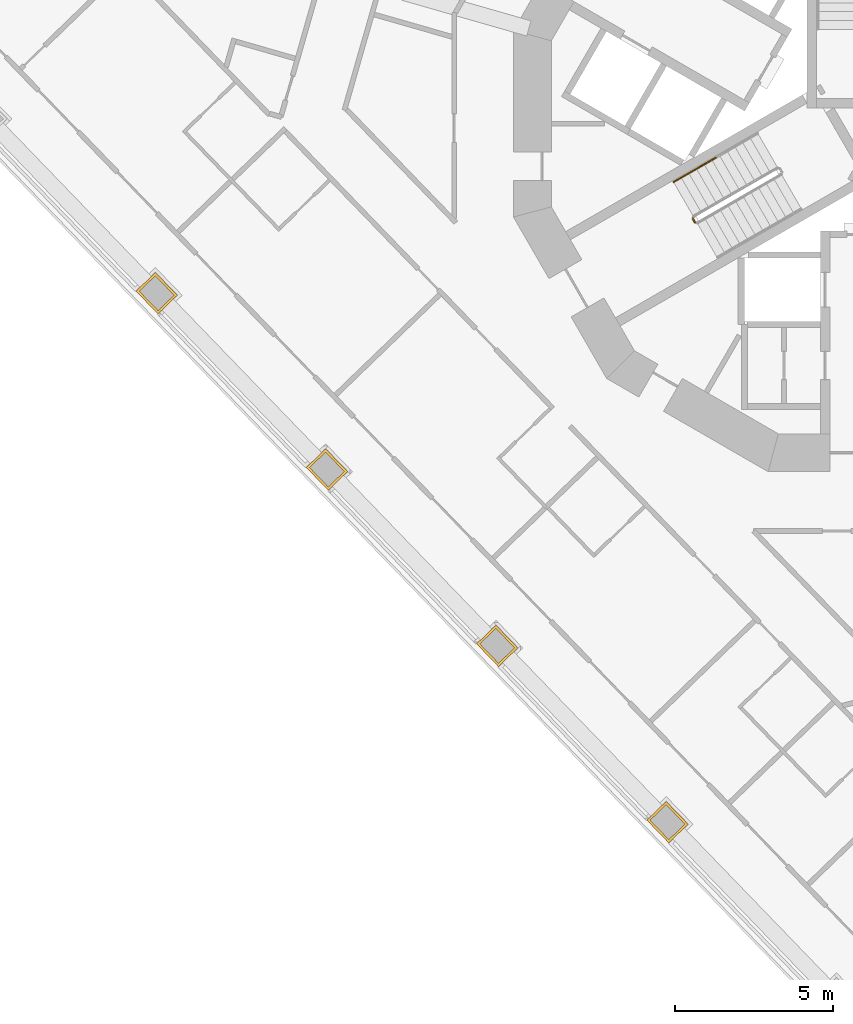
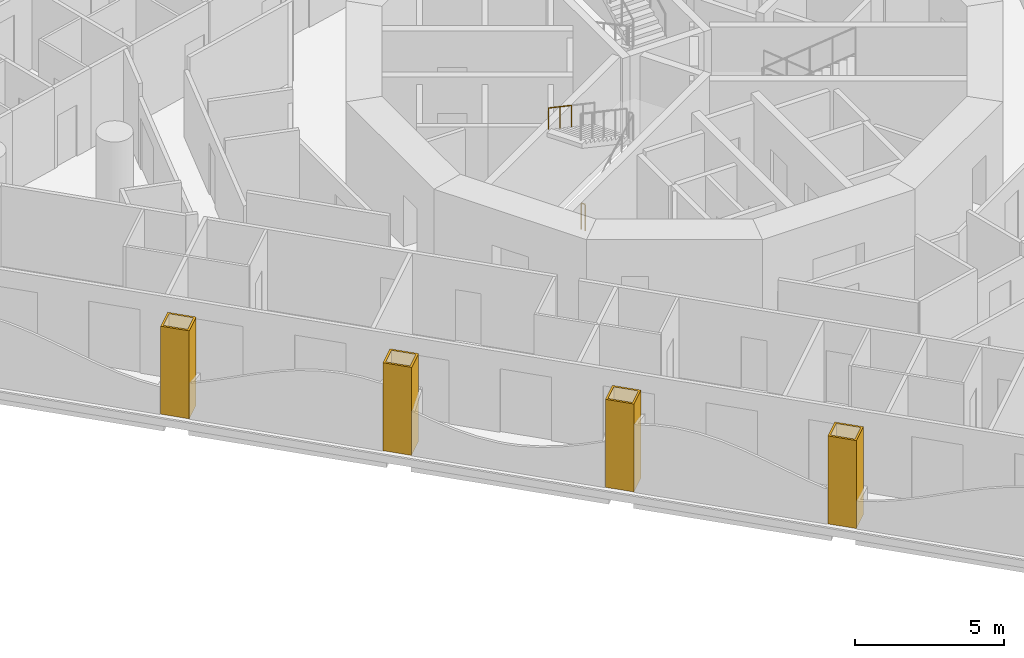
# One storey, part 11 of 18: 4 coverings, 2 railings.
"""IFC4 building model written with IfcOpenShell, lengths in metres."""

from ifc_helpers import new_model, si_unit, direction, frame, origin, origin_2d, place, context, subcontext, project, spatial, polyline, circle, outline, extrude, material, layer, layer_set, type_object, element, save


model = new_model("IFC4")

# Units and contexts
model_context = context("Model", 3, precision=1e-05, world=origin(), true_north=direction((0.0, 1.0)))
body_context = subcontext(model_context, "Body", "Model", "MODEL_VIEW")
ifc_project = project(units=[si_unit("LENGTHUNIT", "METRE"), si_unit("AREAUNIT", "SQUARE_METRE"), si_unit("VOLUMEUNIT", "CUBIC_METRE"), si_unit("PLANEANGLEUNIT", "RADIAN"), si_unit("MASSUNIT", "GRAM", prefix="KILO")], contexts=[model_context])

# Site, building, storey
site_placement = place(None, origin())
site = spatial("IfcSite", under=ifc_project, at=site_placement, CompositionType="ELEMENT")
building_placement = place(site_placement, origin())
building = spatial("IfcBuilding", under=site, at=building_placement, Name="Trine Commons Tower", CompositionType="ELEMENT")
storey_placement = place(building_placement, frame((0.0, 0.0, 94.5)))
storey = spatial("IfcBuildingStorey", under=building, at=storey_placement, Name="L23", CompositionType="ELEMENT", Elevation=94.5)

# Coverings
ifc_material_1 = material(Name="Limestone, honed", Category="masonry")
ifc_layer = layer(ifc_material_1, 0.074951171875)
ifc_layer_set = layer_set([ifc_layer], Name="Limestone, honed")
covering_type = type_object("IfcCoveringType", Name="Limestone column cladding 75", PredefinedType="CLADDING", material=ifc_layer_set)
covering_1_placement = place(storey_placement, origin())
element("IfcCovering", 1, at=covering_1_placement, inside=storey, type_object=covering_type, Name="Limestone pier cladding 3-03", PredefinedType="CLADDING", context=body_context, shape_type="SweptSolid", body=[
    extrude(outline(polyline([(73.8212890625, 41.0517578125), (73.209716796875, 40.461181640625), (73.904296875, 39.741943359375), (74.515869140625, 40.33251953125), (73.8212890625, 41.0517578125)]), holes=[polyline([(73.8193359375, 40.945556640625), (73.31591796875, 40.45947265625), (73.90625, 39.847900390625), (74.409912109375, 40.334228515625), (73.8193359375, 40.945556640625)])]), origin(), (0.0, 0.0, 1.0), 3.60009765625),
])
covering_2_placement = place(storey_placement, origin())
element("IfcCovering", 2, at=covering_2_placement, inside=storey, type_object=covering_type, Name="Limestone pier cladding 3-04", PredefinedType="CLADDING", context=body_context, shape_type="SweptSolid", body=[
    extrude(outline(polyline([(68.432373046875, 46.632080078125), (67.82080078125, 46.04150390625), (68.515380859375, 45.322265625), (69.126953125, 45.912841796875), (68.432373046875, 46.632080078125)]), holes=[polyline([(68.430419921875, 46.52587890625), (67.927001953125, 46.039794921875), (68.517333984375, 45.428466796875), (69.02099609375, 45.91455078125), (68.430419921875, 46.52587890625)])]), origin(), (0.0, 0.0, 1.0), 3.60009765625),
])
covering_3_placement = place(storey_placement, origin())
element("IfcCovering", 3, at=covering_3_placement, inside=storey, type_object=covering_type, Name="Limestone pier cladding 3-05", PredefinedType="CLADDING", context=body_context, shape_type="SweptSolid", body=[
    extrude(outline(polyline([(63.04345703125, 52.21240234375), (62.431884765625, 51.6220703125), (63.126708984375, 50.902587890625), (63.738037109375, 51.4931640625), (63.04345703125, 52.21240234375)]), holes=[polyline([(63.04150390625, 52.1064453125), (62.5380859375, 51.6201171875), (63.12841796875, 51.0087890625), (63.632080078125, 51.4951171875), (63.04150390625, 52.1064453125)])]), origin(), (0.0, 0.0, 1.0), 3.60009765625),
])
covering_4_placement = place(storey_placement, origin())
element("IfcCovering", 4, at=covering_4_placement, inside=storey, type_object=covering_type, Name="Limestone pier cladding 3-06", PredefinedType="CLADDING", context=body_context, shape_type="SweptSolid", body=[
    extrude(outline(polyline([(57.654296875, 57.792724609375), (57.04296875, 57.202392578125), (57.737548828125, 56.48291015625), (58.34912109375, 57.073486328125), (57.654296875, 57.792724609375)]), holes=[polyline([(57.652587890625, 57.686767578125), (57.14892578125, 57.200439453125), (57.739501953125, 56.589111328125), (58.242919921875, 57.0751953125), (57.652587890625, 57.686767578125)])]), origin(), (0.0, 0.0, 1.0), 3.60009765625),
])

# Railings
ifc_material_2 = material(Name="Stainless steel balustrade", Category="steel")
railing_type_1 = type_object("IfcRailingType", Name="Stair guard, steel balustrade 1100", PredefinedType="GUARDRAIL", material=ifc_material_2)
railing_1_placement = place(storey_placement, frame((74.73681640625, 59.374755859375, 0.0)))
element("IfcRailing", 5, at=railing_1_placement, inside=storey, type_object=railing_type_1, Name="L23 ST2A stair guard 4", PredefinedType="GUARDRAIL", context=body_context, shape_type="SweptSolid", body=[
    extrude(circle(Radius=0.02392578125, at=origin_2d()), frame((0.0, 0.0, 1.076171875), z_axis=(-0.499816412211, 0.866131372301, 0.0), x_axis=(-0.866131372301, -0.499816412211, 0.0)), (0.0, 0.0, 1.0), 0.14990234375),
    extrude(circle(Radius=0.02099609375, at=origin_2d()), origin(), (0.0, 0.0, 1.0), 1.052001953125),
    extrude(circle(Radius=0.02099609375, at=origin_2d()), frame((-0.074951171875, 0.1298828125, 0.0)), (0.0, 0.0, 1.0), 1.052001953125),
])
ifc_material_3 = material(Name="Stainless steel handrail", Category="steel")
railing_type_2 = type_object("IfcRailingType", Name="Stair handrail, steel 900", PredefinedType="HANDRAIL", material=ifc_material_3)
railing_2_placement = place(storey_placement, frame((75.388916015625, 61.425537109375, 2.77490234375)))
element("IfcRailing", 6, at=railing_2_placement, inside=storey, type_object=railing_type_2, Name="L23 ST2A stair handrail 4", PredefinedType="HANDRAIL", context=body_context, shape_type="SweptSolid", body=[
    extrude(circle(Radius=0.02099609375, at=origin_2d()), frame((0.0, 0.0, 0.87890625), z_axis=(-0.763354580307, -0.440713956853, 0.472293333596), x_axis=(0.499992328818, -0.866029832698, 0.0)), (0.0, 0.0, 1.0), 1.747314453125),
    extrude(circle(Radius=0.01513671875, at=origin_2d()), origin(), (0.0, 0.0, 1.0), 0.85791015625),
    extrude(circle(Radius=0.01513671875, at=origin_2d()), frame((-0.6669921875, -0.385009765625, 0.41259765625)), (0.0, 0.0, 1.0), 0.85791015625),
    extrude(circle(Radius=0.01513671875, at=origin_2d()), frame((-1.333740234375, -0.77001953125, 0.8251953125)), (0.0, 0.0, 1.0), 0.85791015625),
])

save(model, "model.ifc")
